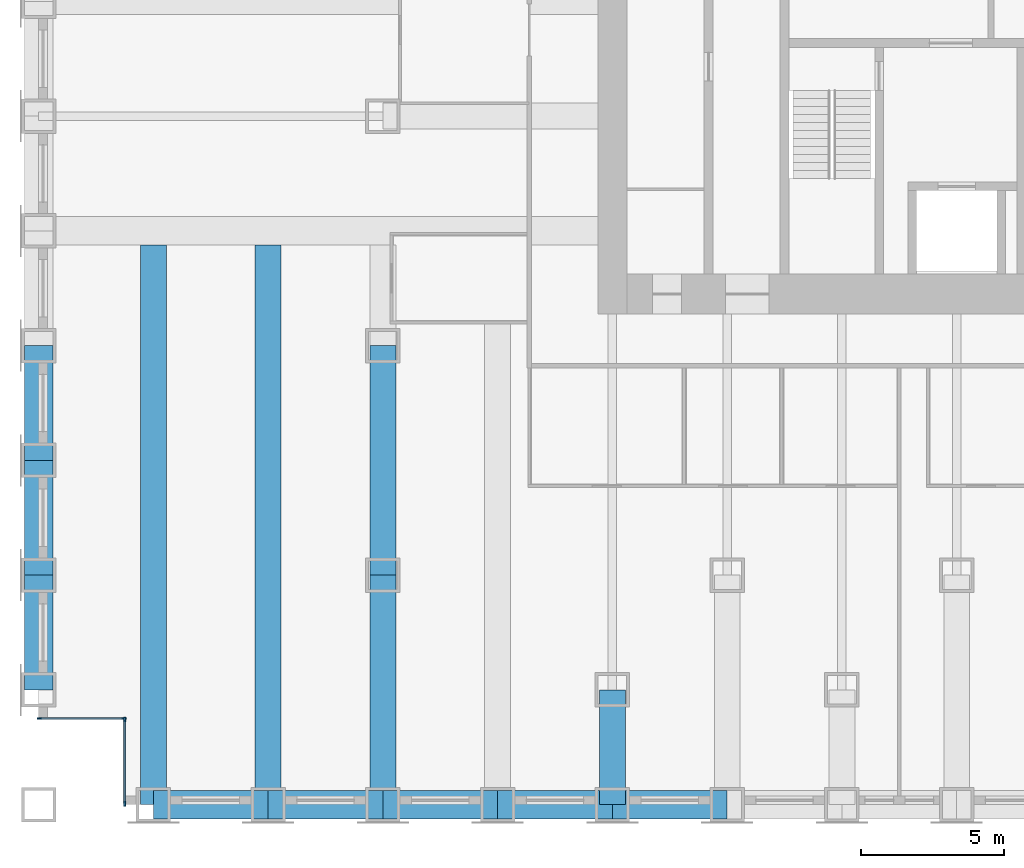
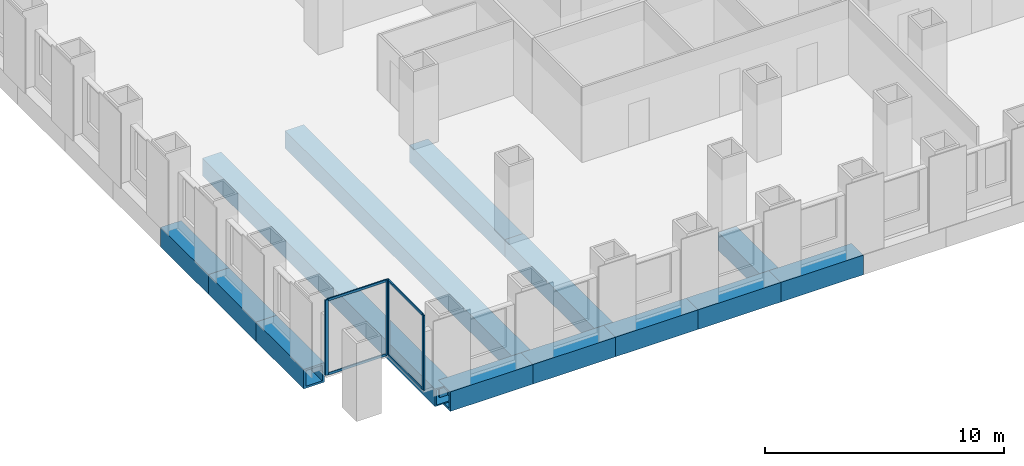
# One storey, part 2 of 14: 13 beams, 8 members, 2 elements without a shape of their own.
"""IFC4 building model written with IfcOpenShell, lengths in metres."""

from ifc_helpers import new_model, si_unit, direction, frame, origin, origin_2d, place, context, subcontext, project, spatial, rectangle, hollow_rectangle, extrude, material, material_profile, profile_set, type_object, element, aggregate, save


model = new_model("IFC4")

# Units and contexts
model_context = context("Model", 3, precision=1e-05, world=origin(), true_north=direction((0.0, 1.0)))
body_context = subcontext(model_context, "Body", "Model", "MODEL_VIEW")
ifc_project = project(units=[si_unit("LENGTHUNIT", "METRE"), si_unit("AREAUNIT", "SQUARE_METRE"), si_unit("VOLUMEUNIT", "CUBIC_METRE"), si_unit("PLANEANGLEUNIT", "RADIAN"), si_unit("MASSUNIT", "GRAM", prefix="KILO")], contexts=[model_context])

# Site, building, storey
site_placement = place(None, origin())
site = spatial("IfcSite", under=ifc_project, at=site_placement, CompositionType="ELEMENT")
building_placement = place(site_placement, origin())
building = spatial("IfcBuilding", under=site, at=building_placement, Name="Rimbunsela Tower", CompositionType="ELEMENT")
storey_placement = place(building_placement, frame((0.0, 0.0, 55.0)))
storey = spatial("IfcBuildingStorey", under=building, at=storey_placement, Name="L13", CompositionType="ELEMENT", Elevation=55.0)

# Beams
ifc_material_1 = material(Name="Steel BJ 55 (fy 410 MPa)", Category="steel")
ifc_material_profile_1 = material_profile(ifc_material_1, hollow_rectangle(XDim=1.0, YDim=1.0, WallThickness=0.10009765625, at=origin_2d()), Name="BOX 1000x1000x100")
ifc_profile_set_1 = profile_set([ifc_material_profile_1], Name="Steel BJ 55 (fy 410 MPa)")
beam_type_1 = type_object("IfcBeamType", Name="Beam BOX 1000x1000x100", PredefinedType="BEAM", material=ifc_profile_set_1)
for number, where, z_axis, x_axis, name in (
    (1, (-2.0, 4.0, -0.64990234375), (0.0, 1.0, 0.0), (-1.0, 0.0, 0.0), "Beam B3 L13"),
    (2, (-2.0, 8.0, -0.64990234375), (0.0, 1.0, 0.0), (-1.0, 0.0, 0.0), "Beam B3 L13"),
    (3, (-2.0, 12.0, -0.64990234375), (0.0, 1.0, 0.0), (-1.0, 0.0, 0.0), "Beam B3 L13"),
    (4, (2.0, 0.0, -0.64990234375), (1.0, 0.0, 0.0), (0.0, 1.0, 0.0), "Beam B3 L13"),
    (5, (6.0, 0.0, -0.64990234375), (1.0, 0.0, 0.0), (0.0, 1.0, 0.0), "Beam B3 L13"),
    (6, (10.0, 0.0, -0.64990234375), (1.0, 0.0, 0.0), (0.0, 1.0, 0.0), "Beam B3 L13"),
    (7, (14.0, 0.0, -0.64990234375), (1.0, 0.0, 0.0), (0.0, 1.0, 0.0), "Beam B3 L13"),
    (8, (18.0, 0.0, -0.64990234375), (1.0, 0.0, 0.0), (0.0, 1.0, 0.0), "Beam B3 L13"),
):
    element("IfcBeam", number, at=place(storey_placement, frame(where, z_axis=z_axis, x_axis=x_axis)), inside=storey, type_object=beam_type_1, Name=name, PredefinedType="BEAM", context=body_context, shape_type="SweptSolid", body=[
        extrude(hollow_rectangle(XDim=1.0, YDim=1.0, WallThickness=0.10009765625, at=origin_2d()), origin(), (0.0, 0.0, 1.0), 4.0),
    ])
ifc_material_2 = material(Name="Steel BJ 55 (fy 410 MPa)", Category="steel")
ifc_material_profile_2 = material_profile(ifc_material_2, hollow_rectangle(XDim=0.89990234375, YDim=0.89990234375, WallThickness=0.06005859375, at=origin_2d()), Name="BOX 900x900x60")
ifc_profile_set_2 = profile_set([ifc_material_profile_2], Name="Steel BJ 55 (fy 410 MPa)")
beam_type_2 = type_object("IfcBeamType", Name="Beam BOX 900x900x60", PredefinedType="BEAM", material=ifc_profile_set_2)
for number, where, z_axis, x_axis, name in (
    (9, (2.0, 0.0, -0.60009765625), (0.0, 1.0, 0.0), (-1.0, 0.0, 0.0), "Beam B1 L13"),
    (10, (6.0, 0.0, -0.60009765625), (0.0, 1.0, 0.0), (-1.0, 0.0, 0.0), "Beam B1 L13"),
):
    element("IfcBeam", number, at=place(storey_placement, frame(where, z_axis=z_axis, x_axis=x_axis)), inside=storey, type_object=beam_type_2, Name=name, PredefinedType="BEAM", context=body_context, shape_type="SweptSolid", body=[
        extrude(hollow_rectangle(XDim=0.89990234375, YDim=0.89990234375, WallThickness=0.06005859375, at=origin_2d()), origin(), (0.0, 0.0, 1.0), 19.5),
    ])
for number, where, z_axis, x_axis, name in (
    (11, (10.0, 0.0, -0.60009765625), (0.0, 1.0, 0.0), (-1.0, 0.0, 0.0), "Beam B1 L13"),
    (12, (10.0, 8.0, -0.60009765625), (0.0, 1.0, 0.0), (-1.0, 0.0, 0.0), "Beam B1 L13"),
):
    element("IfcBeam", number, at=place(storey_placement, frame(where, z_axis=z_axis, x_axis=x_axis)), inside=storey, type_object=beam_type_2, Name=name, PredefinedType="BEAM", context=body_context, shape_type="SweptSolid", body=[
        extrude(hollow_rectangle(XDim=0.89990234375, YDim=0.89990234375, WallThickness=0.06005859375, at=origin_2d()), origin(), (0.0, 0.0, 1.0), 8.0),
    ])
beam_placement = place(storey_placement, frame((18.0, 0.0, -0.60009765625), z_axis=(0.0, 1.0, 0.0), x_axis=(-1.0, 0.0, 0.0)))
element("IfcBeam", 13, at=beam_placement, inside=storey, type_object=beam_type_2, Name="Beam B1 L13", PredefinedType="BEAM", context=body_context, shape_type="SweptSolid", body=[
    extrude(hollow_rectangle(XDim=0.89990234375, YDim=0.89990234375, WallThickness=0.06005859375, at=origin_2d()), origin(), (0.0, 0.0, 1.0), 4.0),
])

# Curtain wall, members
ifc_material_3 = material(Name="Aluminium curtain wall", Category="aluminium")
curtain_wall_type = type_object("IfcCurtainWallType", Name="Corner glazing", PredefinedType="USERDEFINED", material=ifc_material_3)
curtain_wall_1_placement = place(storey_placement, origin())
curtain_wall_1 = element("IfcCurtainWall", 14, at=curtain_wall_1_placement, inside=storey, type_object=curtain_wall_type, Name="Corner glazing L13", ObjectType="CORNER GLAZING", PredefinedType="USERDEFINED")
ifc_material_4 = material(Name="Aluminium mullion", Category="aluminium")
ifc_material_profile_3 = material_profile(ifc_material_4, rectangle(XDim=0.06005859375, YDim=0.159912109375, at=origin_2d()), Name="Mullion 60x160")
ifc_profile_set_3 = profile_set([ifc_material_profile_3], Name="Aluminium mullion")
member_type_1 = type_object("IfcMemberType", Name="Curtain wall mullion 60x160", PredefinedType="MULLION", material=ifc_profile_set_3)
member_1_placement = place(storey_placement, frame((-1.969970703125, 3.0, 0.0), z_axis=(0.0, 0.0, 1.0), x_axis=(0.0, 1.0, 0.0)))
member_1 = element("IfcMember", 15, at=member_1_placement, type_object=member_type_1, Name="CW5 mullion 1", PredefinedType="MULLION", context=body_context, shape_type="SweptSolid", body=[
    extrude(rectangle(XDim=0.06005859375, YDim=0.159912109375, at=origin_2d()), origin(), (0.0, 0.0, 1.0), 3.85009765625),
])
member_2_placement = place(storey_placement, frame((0.969970703125, 3.0, 0.0), z_axis=(0.0, 0.0, 1.0), x_axis=(0.0, 1.0, 0.0)))
member_2 = element("IfcMember", 16, at=member_2_placement, type_object=member_type_1, Name="CW5 mullion 2", PredefinedType="MULLION", context=body_context, shape_type="SweptSolid", body=[
    extrude(rectangle(XDim=0.06005859375, YDim=0.159912109375, at=origin_2d()), origin(), (0.0, 0.0, 1.0), 3.85009765625),
])

curtain_wall_2_placement = place(storey_placement, origin())
curtain_wall_2 = element("IfcCurtainWall", 17, at=curtain_wall_2_placement, inside=storey, type_object=curtain_wall_type, Name="Corner glazing L13", ObjectType="CORNER GLAZING", PredefinedType="USERDEFINED")
member_3_placement = place(storey_placement, frame((1.0, 2.969970703125, 0.0), z_axis=(0.0, 0.0, 1.0), x_axis=(1.0, 0.0, 0.0)))
member_3 = element("IfcMember", 18, at=member_3_placement, type_object=member_type_1, Name="CW5 mullion 1", PredefinedType="MULLION", context=body_context, shape_type="SweptSolid", body=[
    extrude(rectangle(XDim=0.06005859375, YDim=0.159912109375, at=origin_2d()), origin(), (0.0, 0.0, 1.0), 3.85009765625),
])
member_4_placement = place(storey_placement, frame((1.0, 0.030029296875, 0.0), z_axis=(0.0, 0.0, 1.0), x_axis=(1.0, 0.0, 0.0)))
member_4 = element("IfcMember", 19, at=member_4_placement, type_object=member_type_1, Name="CW5 mullion 2", PredefinedType="MULLION", context=body_context, shape_type="SweptSolid", body=[
    extrude(rectangle(XDim=0.06005859375, YDim=0.159912109375, at=origin_2d()), origin(), (0.0, 0.0, 1.0), 3.85009765625),
])

# Member
ifc_material_5 = material(Name="Aluminium transom", Category="aluminium")
ifc_material_profile_4 = material_profile(ifc_material_5, rectangle(XDim=0.06005859375, YDim=0.1201171875, at=origin_2d()), Name="Transom 60x120")
ifc_profile_set_4 = profile_set([ifc_material_profile_4], Name="Aluminium transom")
member_type_2 = type_object("IfcMemberType", Name="Curtain wall transom 60x120", PredefinedType="USERDEFINED", material=ifc_profile_set_4)
member_5_placement = place(storey_placement, frame((-1.93994140625, 3.0, 0.030029296875), z_axis=(1.0, 0.0, 0.0), x_axis=(0.0, 1.0, 0.0)))
member_5 = element("IfcMember", 20, at=member_5_placement, type_object=member_type_2, Name="CW5 transom 1.1", ObjectType="TRANSOM", PredefinedType="USERDEFINED", context=body_context, shape_type="SweptSolid", body=[
    extrude(rectangle(XDim=0.06005859375, YDim=0.1201171875, at=origin_2d()), origin(), (0.0, 0.0, 1.0), 2.8798828125),
])

member_6_placement = place(storey_placement, frame((-1.93994140625, 3.0, 3.820068359375), z_axis=(1.0, 0.0, 0.0), x_axis=(0.0, 1.0, 0.0)))
member_6 = element("IfcMember", 21, at=member_6_placement, type_object=member_type_2, Name="CW5 transom 1.2", ObjectType="TRANSOM", PredefinedType="USERDEFINED", context=body_context, shape_type="SweptSolid", body=[
    extrude(rectangle(XDim=0.06005859375, YDim=0.1201171875, at=origin_2d()), origin(), (0.0, 0.0, 1.0), 2.8798828125),
])

aggregate(curtain_wall_1, [member_1, member_2, member_5, member_6])

member_7_placement = place(storey_placement, frame((1.0, 2.93994140625, 0.030029296875), z_axis=(0.0, -1.0, 0.0), x_axis=(1.0, 0.0, 0.0)))
member_7 = element("IfcMember", 22, at=member_7_placement, type_object=member_type_2, Name="CW5 transom 1.1", ObjectType="TRANSOM", PredefinedType="USERDEFINED", context=body_context, shape_type="SweptSolid", body=[
    extrude(rectangle(XDim=0.06005859375, YDim=0.1201171875, at=origin_2d()), origin(), (0.0, 0.0, 1.0), 2.8798828125),
])

member_8_placement = place(storey_placement, frame((1.0, 2.93994140625, 3.820068359375), z_axis=(0.0, -1.0, 0.0), x_axis=(1.0, 0.0, 0.0)))
member_8 = element("IfcMember", 23, at=member_8_placement, type_object=member_type_2, Name="CW5 transom 1.2", ObjectType="TRANSOM", PredefinedType="USERDEFINED", context=body_context, shape_type="SweptSolid", body=[
    extrude(rectangle(XDim=0.06005859375, YDim=0.1201171875, at=origin_2d()), origin(), (0.0, 0.0, 1.0), 2.8798828125),
])

aggregate(curtain_wall_2, [member_3, member_4, member_7, member_8])

save(model, "model.ifc")
